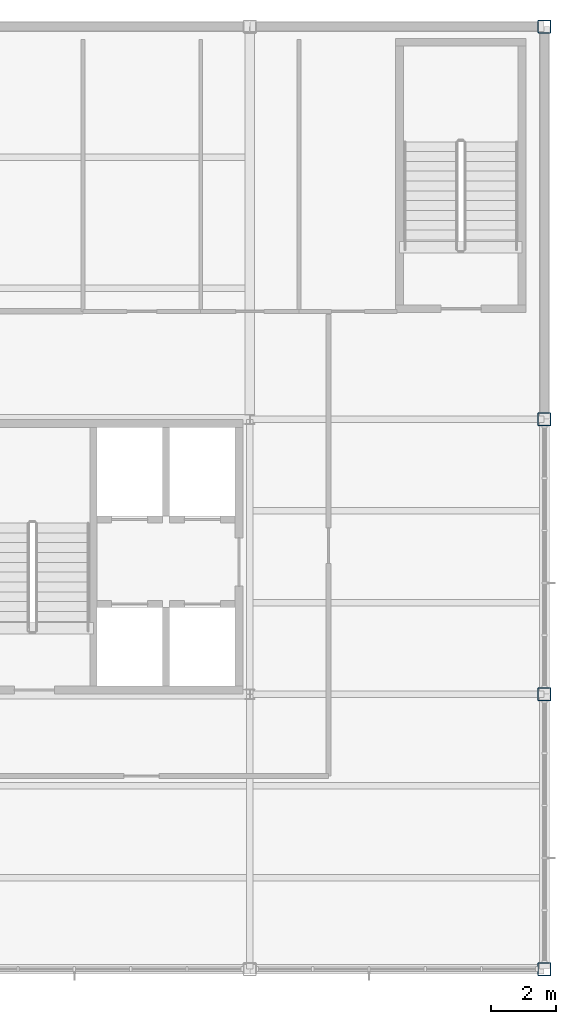
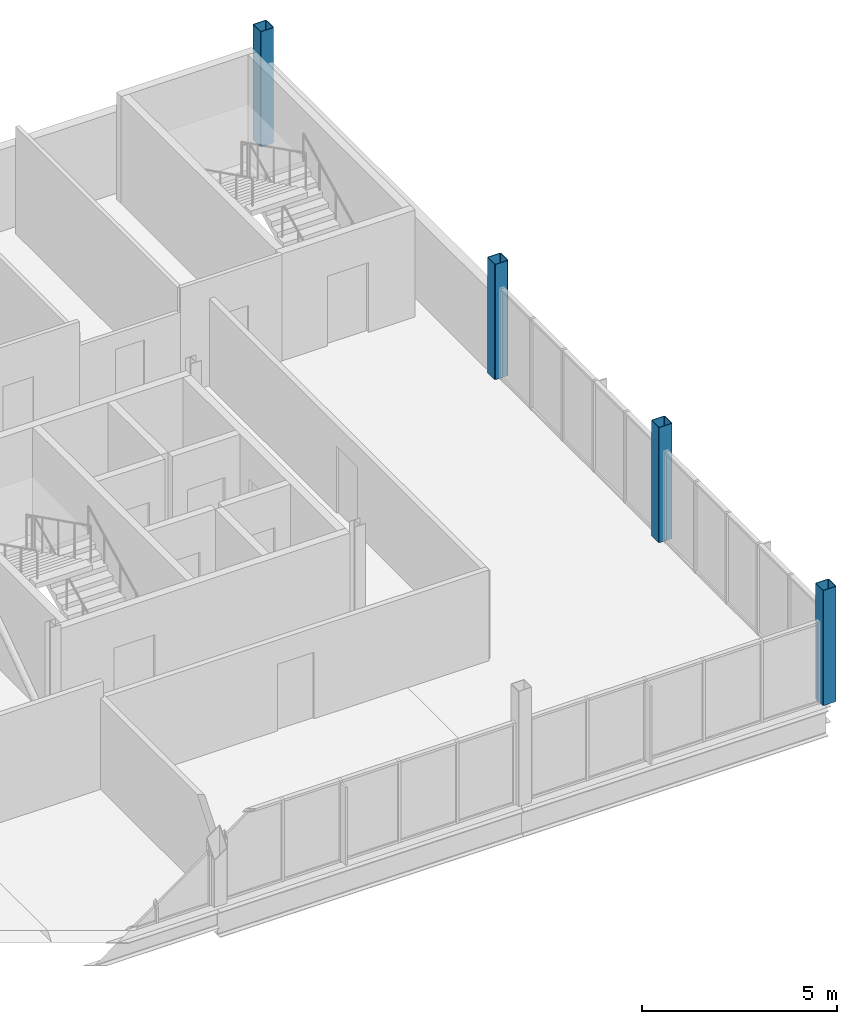
# One storey, part 3 of 15: 4 columns.
"""IFC4 building model written with IfcOpenShell, lengths in metres."""

from ifc_helpers import new_model, si_unit, direction, frame, origin, origin_2d, place, context, subcontext, project, spatial, hollow_rectangle, extrude, material, material_profile, profile_set, type_object, element, save


model = new_model("IFC4")

# Units and contexts
model_context = context("Model", 3, precision=1e-05, world=origin(), true_north=direction((0.0, 1.0)))
body_context = subcontext(model_context, "Body", "Model", "MODEL_VIEW")
ifc_project = project(units=[si_unit("LENGTHUNIT", "METRE"), si_unit("AREAUNIT", "SQUARE_METRE"), si_unit("VOLUMEUNIT", "CUBIC_METRE"), si_unit("PLANEANGLEUNIT", "RADIAN"), si_unit("MASSUNIT", "GRAM", prefix="KILO")], contexts=[model_context])

# Site, building, storey
site_placement = place(None, origin())
site = spatial("IfcSite", under=ifc_project, at=site_placement, CompositionType="ELEMENT")
building_placement = place(site_placement, origin())
building = spatial("IfcBuilding", under=site, at=building_placement, Name="Yukiwa Park Conservatory and Herbarium", CompositionType="ELEMENT")
storey_placement = place(building_placement, frame((0.0, 0.0, 54.0)))
storey = spatial("IfcBuildingStorey", under=building, at=storey_placement, Name="L14", CompositionType="ELEMENT", Elevation=54.0)

# Columns
ifc_material = material(Name="Steel Q355D", Category="steel")
ifc_material_profile = material_profile(ifc_material, hollow_rectangle(XDim=0.39990234375, YDim=0.39990234375, WallThickness=0.01611328125, InnerFilletRadius=0.01611328125, OuterFilletRadius=0.031982421875, at=origin_2d()), Name="BOX 400x400x16")
ifc_profile_set = profile_set([ifc_material_profile], Name="Steel Q355D")
column_type = type_object("IfcColumnType", Name="COL-TW-BOX400-EXT", PredefinedType="COLUMN", material=ifc_profile_set)
for number, where, z_axis, x_axis, name in (
    (1, (168.0, 86.39990234375, 0.0), (0.0, 0.0, 1.0), (1.0, 0.0, 0.0), "L14 column V5-X1680-Y864"),
    (2, (168.0, 94.800048828125, 0.0), (0.0, 0.0, 1.0), (1.0, 0.0, 0.0), "L14 column V5-X1680-Y948"),
    (3, (168.0, 103.199951171875, 0.0), (0.0, 0.0, 1.0), (1.0, 0.0, 0.0), "L14 column V5-X1680-Y1032"),
    (4, (168.0, 115.199951171875, 0.0), (0.0, 0.0, 1.0), (1.0, 0.0, 0.0), "L14 column V5-X1680-Y1152"),
):
    element("IfcColumn", number, at=place(storey_placement, frame(where, z_axis=z_axis, x_axis=x_axis)), inside=storey, type_object=column_type, Name=name, PredefinedType="COLUMN", context=body_context, shape_type="SweptSolid", body=[
        extrude(hollow_rectangle(XDim=0.39990234375, YDim=0.39990234375, WallThickness=0.01611328125, InnerFilletRadius=0.01611328125, OuterFilletRadius=0.031982421875, at=origin_2d()), origin(), (0.0, 0.0, 1.0), 3.60009765625),
    ])

save(model, "model.ifc")
